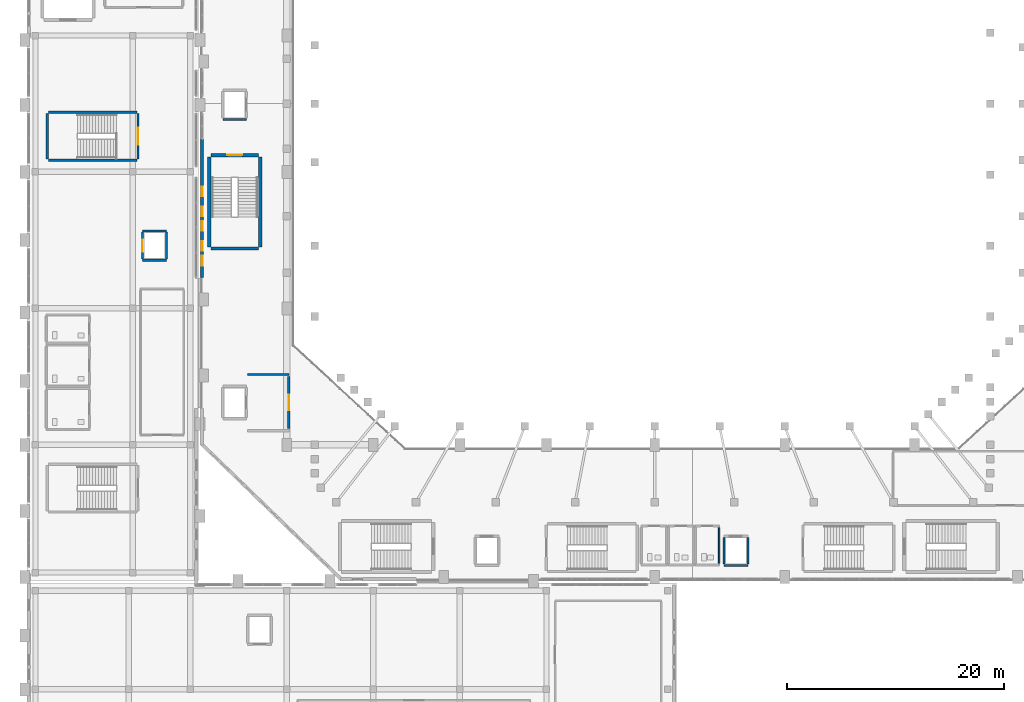
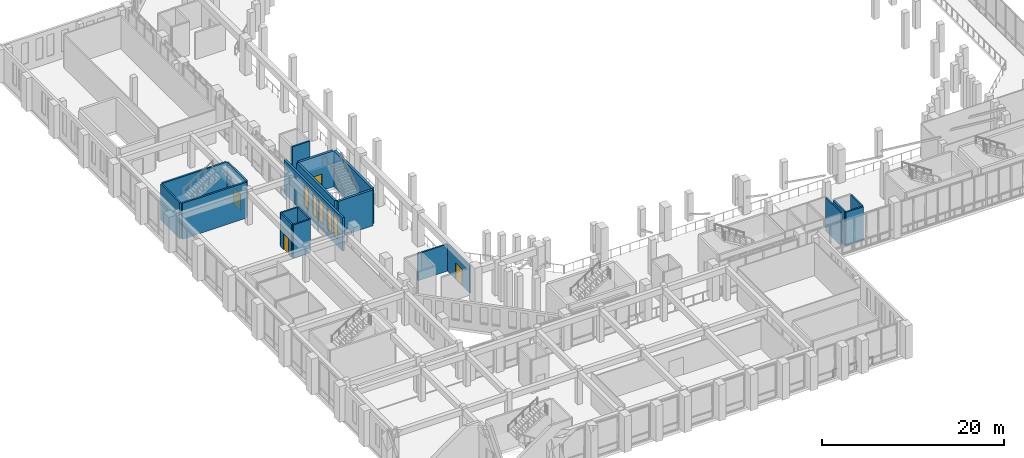
# One storey, part 92 of 126: 20 walls, 5 windows, 4 doors, 9 openings.
"""IFC4 building model written with IfcOpenShell, lengths in metres."""

from ifc_helpers import new_model, si_unit, derived_unit, direction, frame, frame_2d, origin, place, context, subcontext, project, spatial, rectangle, extrude, material, layer, layer_set, type_object, element, fill, save


model = new_model("IFC4")

# Units and contexts
model_context = context("Model", 3, precision=1e-05, world=origin(), true_north=direction((0.0, 1.0)))
body_context = subcontext(model_context, "Body", "Model", "MODEL_VIEW")
ifc_project = project(units=[si_unit("LENGTHUNIT", "METRE"), si_unit("AREAUNIT", "SQUARE_METRE"), si_unit("VOLUMEUNIT", "CUBIC_METRE"), si_unit("PLANEANGLEUNIT", "RADIAN"), si_unit("MASSUNIT", "GRAM", prefix="KILO"), derived_unit("THERMALTRANSMITTANCEUNIT", [(si_unit("MASSUNIT", "GRAM", prefix="KILO"), 1), (si_unit("TIMEUNIT", "SECOND"), -3), (si_unit("THERMODYNAMICTEMPERATUREUNIT", "KELVIN"), -1)])], contexts=[model_context])

# Site, building, storey
site_placement = place(None, origin())
site = spatial("IfcSite", under=ifc_project, at=site_placement, CompositionType="ELEMENT")
building_placement = place(site_placement, origin())
building = spatial("IfcBuilding", under=site, at=building_placement, Name="Valcora Ridge Arena", CompositionType="ELEMENT")
storey_placement = place(building_placement, frame((0.0, 0.0, 11.39990234375)))
storey = spatial("IfcBuildingStorey", under=building, at=storey_placement, Name="L02", CompositionType="ELEMENT", Elevation=11.39990234375)

# Wall, openings, windows
ifc_material_1 = material(Name="Bush-hammered Andean travertine on concrete backup C40/50", Category="masonry")
ifc_layer_1 = layer(ifc_material_1, 0.280029296875, Name="Bush-hammered Andean travertine on concrete backup C40/50")
ifc_layer_set_1 = layer_set([ifc_layer_1], Name="Bush-hammered Andean travertine on concrete backup C40/50")
wall_type_1 = type_object("IfcWallType", Name="TY-WALL-EW-TRV-28-44", PredefinedType="STANDARD", material=ifc_layer_set_1)
wall_1_placement = place(storey_placement, frame((16.199951171875, 48.050048828125, 0.0), z_axis=(0.0, 0.0, 1.0), x_axis=(0.0, 1.0, 0.0)))
wall_1 = element("IfcWall", 1, at=wall_1_placement, inside=storey, type_object=wall_type_1, Name="EW-TRV-28-44 WAL-EW-0047", PredefinedType="STANDARD", context=body_context, shape_type="SweptSolid", body=[
    extrude(rectangle(XDim=12.800048828125, YDim=0.280029296875, at=frame_2d((6.39990234375, 0.0))), origin(), (0.0, 0.0, 1.0), 4.4501953125),
])
opening_1_placement = place(wall_1_placement, frame((1.10009765625, 0.0, 0.949951171875)))
opening_1 = element("IfcOpeningElement", 2, at=opening_1_placement, cuts=wall_1, Name="Opening W-GLAN-90X285", PredefinedType="OPENING", context=body_context, shape_type="SweptSolid", body=[
    extrude(rectangle(XDim=0.89990234375, YDim=2.85009765625, at=frame_2d((0.449951171875, 1.425048828125))), frame((0.0, 0.14990234375, 0.0), z_axis=(0.0, -1.0, 0.0), x_axis=(1.0, 0.0, 0.0)), (0.0, 0.0, 1.0), 0.300048828125),
])
opening_2_placement = place(wall_1_placement, frame((2.449951171875, 0.0, 0.949951171875)))
opening_2 = element("IfcOpeningElement", 3, at=opening_2_placement, cuts=wall_1, Name="Opening W-GLAN-90X285", PredefinedType="OPENING", context=body_context, shape_type="SweptSolid", body=[
    extrude(rectangle(XDim=0.89990234375, YDim=2.85009765625, at=frame_2d((0.449951171875, 1.425048828125))), frame((0.0, 0.14990234375, 0.0), z_axis=(0.0, -1.0, 0.0), x_axis=(1.0, 0.0, 0.0)), (0.0, 0.0, 1.0), 0.300048828125),
])
opening_3_placement = place(wall_1_placement, frame((4.300048828125, 0.0, 0.949951171875)))
opening_3 = element("IfcOpeningElement", 4, at=opening_3_placement, cuts=wall_1, Name="Opening W-GLAN-90X285", PredefinedType="OPENING", context=body_context, shape_type="SweptSolid", body=[
    extrude(rectangle(XDim=0.89990234375, YDim=2.85009765625, at=frame_2d((0.449951171875, 1.425048828125))), frame((0.0, 0.14990234375, 0.0), z_axis=(0.0, -1.0, 0.0), x_axis=(1.0, 0.0, 0.0)), (0.0, 0.0, 1.0), 0.300048828125),
])
opening_4_placement = place(wall_1_placement, frame((5.64990234375, 0.0, 0.949951171875)))
opening_4 = element("IfcOpeningElement", 5, at=opening_4_placement, cuts=wall_1, Name="Opening W-GLAN-90X285", PredefinedType="OPENING", context=body_context, shape_type="SweptSolid", body=[
    extrude(rectangle(XDim=0.89990234375, YDim=2.85009765625, at=frame_2d((0.449951171875, 1.425048828125))), frame((0.0, 0.14990234375, 0.0), z_axis=(0.0, -1.0, 0.0), x_axis=(1.0, 0.0, 0.0)), (0.0, 0.0, 1.0), 0.300048828125),
])
opening_5_placement = place(wall_1_placement, frame((7.5, 0.0, 0.949951171875)))
opening_5 = element("IfcOpeningElement", 6, at=opening_5_placement, cuts=wall_1, Name="Opening W-GLAN-90X285", PredefinedType="OPENING", context=body_context, shape_type="SweptSolid", body=[
    extrude(rectangle(XDim=0.89990234375, YDim=2.85009765625, at=frame_2d((0.449951171875, 1.425048828125))), frame((0.0, 0.14990234375, 0.0), z_axis=(0.0, -1.0, 0.0), x_axis=(1.0, 0.0, 0.0)), (0.0, 0.0, 1.0), 0.300048828125),
])
ifc_material_2 = material(Name="Low-iron solar-control double glazing SHGC 0.28", Category="glass")
window_type = type_object("IfcWindowType", Name="TY-WINDOW-W-GLAN-90X285", PartitioningType="DOUBLE_PANEL_VERTICAL", PredefinedType="WINDOW", material=ifc_material_2)
window_1_placement = place(opening_1_placement, origin())
window_1 = element("IfcWindow", 7, at=window_1_placement, inside=storey, type_object=window_type, Name="W-GLAN-90X285 WIN-EX-0098", OverallHeight=2.85009765625, OverallWidth=0.89990234375, PartitioningType="DOUBLE_PANEL_VERTICAL", PredefinedType="WINDOW", context=body_context, shape_type="SweptSolid", body=[
    extrude(rectangle(XDim=0.89990234375, YDim=2.85009765625, at=frame_2d((0.449951171875, 1.425048828125))), frame((0.0, 0.030029296875, 0.0), z_axis=(0.0, -1.0, 0.0), x_axis=(1.0, 0.0, 0.0)), (0.0, 0.0, 1.0), 0.06005859375),
])
fill(opening_1, window_1)
window_2_placement = place(opening_2_placement, origin())
window_2 = element("IfcWindow", 8, at=window_2_placement, inside=storey, type_object=window_type, Name="W-GLAN-90X285 WIN-EX-0099", OverallHeight=2.85009765625, OverallWidth=0.89990234375, PartitioningType="DOUBLE_PANEL_VERTICAL", PredefinedType="WINDOW", context=body_context, shape_type="SweptSolid", body=[
    extrude(rectangle(XDim=0.89990234375, YDim=2.85009765625, at=frame_2d((0.449951171875, 1.425048828125))), frame((0.0, 0.030029296875, 0.0), z_axis=(0.0, -1.0, 0.0), x_axis=(1.0, 0.0, 0.0)), (0.0, 0.0, 1.0), 0.06005859375),
])
fill(opening_2, window_2)
window_3_placement = place(opening_3_placement, origin())
window_3 = element("IfcWindow", 9, at=window_3_placement, inside=storey, type_object=window_type, Name="W-GLAN-90X285 WIN-EX-0100", OverallHeight=2.85009765625, OverallWidth=0.89990234375, PartitioningType="DOUBLE_PANEL_VERTICAL", PredefinedType="WINDOW", context=body_context, shape_type="SweptSolid", body=[
    extrude(rectangle(XDim=0.89990234375, YDim=2.85009765625, at=frame_2d((0.449951171875, 1.425048828125))), frame((0.0, 0.030029296875, 0.0), z_axis=(0.0, -1.0, 0.0), x_axis=(1.0, 0.0, 0.0)), (0.0, 0.0, 1.0), 0.06005859375),
])
fill(opening_3, window_3)
window_4_placement = place(opening_4_placement, origin())
window_4 = element("IfcWindow", 10, at=window_4_placement, inside=storey, type_object=window_type, Name="W-GLAN-90X285 WIN-EX-0101", OverallHeight=2.85009765625, OverallWidth=0.89990234375, PartitioningType="DOUBLE_PANEL_VERTICAL", PredefinedType="WINDOW", context=body_context, shape_type="SweptSolid", body=[
    extrude(rectangle(XDim=0.89990234375, YDim=2.85009765625, at=frame_2d((0.449951171875, 1.425048828125))), frame((0.0, 0.030029296875, 0.0), z_axis=(0.0, -1.0, 0.0), x_axis=(1.0, 0.0, 0.0)), (0.0, 0.0, 1.0), 0.06005859375),
])
fill(opening_4, window_4)
window_5_placement = place(opening_5_placement, origin())
window_5 = element("IfcWindow", 11, at=window_5_placement, inside=storey, type_object=window_type, Name="W-GLAN-90X285 WIN-EX-0102", OverallHeight=2.85009765625, OverallWidth=0.89990234375, PartitioningType="DOUBLE_PANEL_VERTICAL", PredefinedType="WINDOW", context=body_context, shape_type="SweptSolid", body=[
    extrude(rectangle(XDim=0.89990234375, YDim=2.85009765625, at=frame_2d((0.449951171875, 1.425048828125))), frame((0.0, 0.030029296875, 0.0), z_axis=(0.0, -1.0, 0.0), x_axis=(1.0, 0.0, 0.0)), (0.0, 0.0, 1.0), 0.06005859375),
])
fill(opening_5, window_5)

# Walls
ifc_material_3 = material(Name="Fire-rated masonry-core compartment wall C35/45 150 mm", Category="masonry")
ifc_layer_2 = layer(ifc_material_3, 0.14990234375, Name="Fire-rated masonry-core compartment wall C35/45 150 mm")
ifc_layer_set_2 = layer_set([ifc_layer_2], Name="Fire-rated masonry-core compartment wall C35/45 150 mm")
wall_type_2 = type_object("IfcWallType", Name="TY-WALL-IW-COMP-150", PredefinedType="STANDARD", material=ifc_layer_set_2)
wall_2_placement = place(storey_placement, frame((63.949951171875, 21.64990234375, 0.0), z_axis=(0.0, 0.0, 1.0), x_axis=(0.0, 1.0, 0.0)))
element("IfcWall", 12, at=wall_2_placement, inside=storey, type_object=wall_type_2, Name="IW-COMP-150 WAL-IN-0118", PredefinedType="STANDARD", context=body_context, shape_type="SweptSolid", body=[
    extrude(rectangle(XDim=3.300048828125, YDim=0.14990234375, at=frame_2d((1.64990234375, 0.0))), origin(), (0.0, 0.0, 1.0), 4.4501953125),
])
ifc_material_4 = material(Name="Fire-resisting reinforced concrete enclosure C40/50 200 mm", Category="concrete")
ifc_layer_3 = layer(ifc_material_4, 0.199951171875, Name="Fire-resisting reinforced concrete enclosure C40/50 200 mm")
ifc_layer_set_3 = layer_set([ifc_layer_3], Name="Fire-resisting reinforced concrete enclosure C40/50 200 mm")
wall_type_3 = type_object("IfcWallType", Name="TY-WALL-IW-FIRE-200", PredefinedType="STANDARD", material=ifc_layer_set_3)
wall_3_placement = place(storey_placement, frame((20.39990234375, 39.10009765625, 0.0), z_axis=(0.0, 0.0, 1.0), x_axis=(1.0, 0.0, 0.0)))
element("IfcWall", 13, at=wall_3_placement, inside=storey, type_object=wall_type_3, Name="IW-FIRE-200 WAL-IN-0011", PredefinedType="STANDARD", context=body_context, shape_type="SweptSolid", body=[
    extrude(rectangle(XDim=3.800048828125, YDim=0.199951171875, at=frame_2d((1.89990234375, 0.0))), origin(), (0.0, 0.0, 1.0), 3.60009765625),
])

# Wall, opening, door
wall_4_placement = place(storey_placement, frame((24.199951171875, 34.10009765625, 0.0), z_axis=(0.0, 0.0, 1.0), x_axis=(0.0, 1.0, 0.0)))
wall_4 = element("IfcWall", 14, at=wall_4_placement, inside=storey, type_object=wall_type_3, Name="IW-FIRE-200 WAL-IN-0012", PredefinedType="STANDARD", context=body_context, shape_type="SweptSolid", body=[
    extrude(rectangle(XDim=4.7998046875, YDim=0.199951171875, at=frame_2d((2.39990234375, 0.0))), origin(), (0.0, 0.0, 1.0), 3.60009765625),
])
opening_6_placement = place(wall_4_placement, frame((1.699951171875, 0.0, 0.0)))
opening_6 = element("IfcOpeningElement", 15, at=opening_6_placement, cuts=wall_4, Name="Opening FD-FFL-1400", PredefinedType="OPENING", context=body_context, shape_type="SweptSolid", body=[
    extrude(rectangle(XDim=1.39990234375, YDim=2.199951171875, at=frame_2d((0.699951171875, 1.10009765625))), frame((0.0, 0.10986328125, 0.0), z_axis=(0.0, -1.0, 0.0), x_axis=(1.0, 0.0, 0.0)), (0.0, 0.0, 1.0), 0.219970703125),
])
ifc_material_5 = material(Name="Insulated fire-rated steel door leaf", Category="steel")
door_type_1 = type_object("IfcDoorType", Name="TY-DOOR-FD-FFL-1400", OperationType="NOTDEFINED", PredefinedType="DOOR", material=ifc_material_5)
door_1_placement = place(opening_6_placement, origin())
door_1 = element("IfcDoor", 16, at=door_1_placement, inside=storey, type_object=door_type_1, Name="FD-FFL-1400 DOR-IN-0004", OperationType="DOUBLE_DOOR_SINGLE_SWING", OverallHeight=2.199951171875, OverallWidth=1.39990234375, PredefinedType="DOOR", context=body_context, shape_type="SweptSolid", body=[
    extrude(rectangle(XDim=1.39990234375, YDim=2.199951171875, at=frame_2d((0.699951171875, 1.10009765625))), frame((0.0, 0.02490234375, 0.0), z_axis=(0.0, -1.0, 0.0), x_axis=(1.0, 0.0, 0.0)), (0.0, 0.0, 1.0), 0.050048828125),
])
fill(opening_6, door_1)

# Walls
ifc_material_6 = material(Name="Concrete C40/50", Category="concrete")
ifc_layer_4 = layer(ifc_material_6, 0.199951171875, Name="Concrete C40/50")
ifc_layer_set_4 = layer_set([ifc_layer_4], Name="Concrete C40/50")
wall_type_4 = type_object("IfcWallType", Name="TY-WALL-IW-SHF-200", PredefinedType="STANDARD", material=ifc_layer_set_4)
wall_5_placement = place(storey_placement, frame((64.39990234375, 21.449951171875, 0.0), z_axis=(0.0, 0.0, 1.0), x_axis=(1.0, 0.0, 0.0)))
element("IfcWall", 17, at=wall_5_placement, inside=storey, type_object=wall_type_4, Name="IW-SHF-200 WAL-SH-0093", PredefinedType="STANDARD", context=body_context, shape_type="SweptSolid", body=[
    extrude(rectangle(XDim=2.2001953125, YDim=0.199951171875, at=frame_2d((1.10009765625, 0.0))), origin(), (0.0, 0.0, 1.0), 4.4501953125),
])
for number, where, z_axis, x_axis, name in (
    (18, (64.39990234375, 21.570068359375, 0.0), (0.0, 0.0, 1.0), (0.0, 1.0, 0.0), "IW-SHF-200 WAL-SH-0095"),
    (19, (66.60009765625, 21.570068359375, 0.0), (0.0, 0.0, 1.0), (0.0, 1.0, 0.0), "IW-SHF-200 WAL-SH-0096"),
):
    element("IfcWall", number, at=place(storey_placement, frame(where, z_axis=z_axis, x_axis=x_axis)), inside=storey, type_object=wall_type_4, Name=name, PredefinedType="STANDARD", context=body_context, shape_type="SweptSolid", body=[
        extrude(rectangle(XDim=2.4599609375, YDim=0.199951171875, at=frame_2d((1.22998046875, 0.0))), origin(), (0.0, 0.0, 1.0), 4.4501953125),
    ])
for number, where, z_axis, x_axis, name in (
    (20, (10.699951171875, 49.64990234375, 0.0), (0.0, 0.0, 1.0), (1.0, 0.0, 0.0), "IW-SHF-200 WAL-SH-0201"),
    (21, (10.699951171875, 52.35009765625, 0.0), (0.0, 0.0, 1.0), (1.0, 0.0, 0.0), "IW-SHF-200 WAL-SH-0202"),
):
    element("IfcWall", number, at=place(storey_placement, frame(where, z_axis=z_axis, x_axis=x_axis)), inside=storey, type_object=wall_type_4, Name=name, PredefinedType="STANDARD", context=body_context, shape_type="SweptSolid", body=[
        extrude(rectangle(XDim=2.199951171875, YDim=0.199951171875, at=frame_2d((1.10009765625, 0.0))), origin(), (0.0, 0.0, 1.0), 4.4501953125),
    ])

# Wall, opening, door
wall_6_placement = place(storey_placement, frame((10.699951171875, 49.77001953125, 0.0), z_axis=(0.0, 0.0, 1.0), x_axis=(0.0, 1.0, 0.0)))
wall_6 = element("IfcWall", 22, at=wall_6_placement, inside=storey, type_object=wall_type_4, Name="IW-SHF-200 WAL-SH-0203", PredefinedType="STANDARD", context=body_context, shape_type="SweptSolid", body=[
    extrude(rectangle(XDim=2.4599609375, YDim=0.199951171875, at=frame_2d((1.22998046875, 0.0))), origin(), (0.0, 0.0, 1.0), 4.4501953125),
])
opening_7_placement = place(wall_6_placement, frame((0.679931640625, 0.0, 0.0)))
opening_7 = element("IfcOpeningElement", 23, at=opening_7_placement, cuts=wall_6, Name="Opening LD-PAX", PredefinedType="OPENING", context=body_context, shape_type="SweptSolid", body=[
    extrude(rectangle(XDim=1.10009765625, YDim=2.14990234375, at=frame_2d((0.550048828125, 1.074951171875))), frame((0.0, 0.10986328125, 0.0), z_axis=(0.0, -1.0, 0.0), x_axis=(1.0, 0.0, 0.0)), (0.0, 0.0, 1.0), 0.219970703125),
])
ifc_material_7 = material(Name="Insulated fire-rated hollow metal steel", Category="steel")
door_type_2 = type_object("IfcDoorType", Name="TY-DOOR-LD-PAX", OperationType="NOTDEFINED", PredefinedType="DOOR", material=ifc_material_7)
door_2_placement = place(opening_7_placement, origin())
door_2 = element("IfcDoor", 24, at=door_2_placement, inside=storey, type_object=door_type_2, Name="CL2 Landing Door L02", OperationType="SLIDING_TO_LEFT", OverallHeight=2.14990234375, OverallWidth=1.10009765625, PredefinedType="DOOR", context=body_context, shape_type="SweptSolid", body=[
    extrude(rectangle(XDim=1.10009765625, YDim=2.14990234375, at=frame_2d((0.550048828125, 1.074951171875))), frame((0.0, 0.02490234375, 0.0), z_axis=(0.0, -1.0, 0.0), x_axis=(1.0, 0.0, 0.0)), (0.0, 0.0, 1.0), 0.050048828125),
])
fill(opening_7, door_2)

# Walls
wall_7_placement = place(storey_placement, frame((12.89990234375, 49.77001953125, 0.0), z_axis=(0.0, 0.0, 1.0), x_axis=(0.0, 1.0, 0.0)))
element("IfcWall", 25, at=wall_7_placement, inside=storey, type_object=wall_type_4, Name="IW-SHF-200 WAL-SH-0204", PredefinedType="STANDARD", context=body_context, shape_type="SweptSolid", body=[
    extrude(rectangle(XDim=2.4599609375, YDim=0.199951171875, at=frame_2d((1.22998046875, 0.0))), origin(), (0.0, 0.0, 1.0), 4.4501953125),
])
wall_8_placement = place(storey_placement, frame((18.10009765625, 62.64990234375, 0.0), z_axis=(0.0, 0.0, 1.0), x_axis=(1.0, 0.0, 0.0)))
element("IfcWall", 26, at=wall_8_placement, inside=storey, type_object=wall_type_4, Name="IW-SHF-200 WAL-SH-0217", PredefinedType="STANDARD", context=body_context, shape_type="SweptSolid", body=[
    extrude(rectangle(XDim=2.199951171875, YDim=0.199951171875, at=frame_2d((1.10009765625, 0.0))), origin(), (0.0, 0.0, 1.0), 4.4501953125),
])
ifc_material_8 = material(Name="Concrete C45/55", Category="concrete")
ifc_layer_5 = layer(ifc_material_8, 0.300048828125, Name="Concrete C45/55")
ifc_layer_set_5 = layer_set([ifc_layer_5], Name="Concrete C45/55")
wall_type_5 = type_object("IfcWallType", Name="TY-WALL-SW-C300-L", PredefinedType="SHEAR", material=ifc_layer_set_5)
for number, where, z_axis, x_axis, name in (
    (27, (16.85009765625, 50.8798828125, 0.0), (0.0, 0.0, 1.0), (0.0, 1.0, 0.0), "SW-C300-L WAL-CR-0119"),
    (28, (21.550048828125, 50.8798828125, 0.0), (0.0, 0.0, 1.0), (0.0, 1.0, 0.0), "SW-C300-L WAL-CR-0120"),
):
    element("IfcWall", number, at=place(storey_placement, frame(where, z_axis=z_axis, x_axis=x_axis)), inside=storey, type_object=wall_type_5, Name=name, PredefinedType="SHEAR", context=body_context, shape_type="SweptSolid", body=[
        extrude(rectangle(XDim=8.320068359375, YDim=0.300048828125, at=frame_2d((4.16015625, 0.0))), origin(), (0.0, 0.0, 1.0), 4.800048828125),
    ])
ifc_layer_6 = layer(ifc_material_8, 0.300048828125, Name="Concrete C45/55")
ifc_layer_set_6 = layer_set([ifc_layer_6], Name="Concrete C45/55")
wall_type_6 = type_object("IfcWallType", Name="TY-WALL-SW-C300-S", PredefinedType="SHEAR", material=ifc_layer_set_6)
wall_9_placement = place(storey_placement, frame((17.0, 50.72998046875, 0.0), z_axis=(0.0, 0.0, 1.0), x_axis=(1.0, 0.0, 0.0)))
element("IfcWall", 29, at=wall_9_placement, inside=storey, type_object=wall_type_6, Name="SW-C300-S WAL-CR-0117", PredefinedType="SHEAR", context=body_context, shape_type="SweptSolid", body=[
    extrude(rectangle(XDim=4.39990234375, YDim=0.300048828125, at=frame_2d((2.199951171875, 0.0))), origin(), (0.0, 0.0, 1.0), 4.800048828125),
])

# Wall, opening, door
wall_10_placement = place(storey_placement, frame((17.0, 59.35009765625, 0.0), z_axis=(0.0, 0.0, 1.0), x_axis=(1.0, 0.0, 0.0)))
wall_10 = element("IfcWall", 30, at=wall_10_placement, inside=storey, type_object=wall_type_6, Name="SW-C300-S WAL-CR-0118", PredefinedType="SHEAR", context=body_context, shape_type="SweptSolid", body=[
    extrude(rectangle(XDim=4.39990234375, YDim=0.300048828125, at=frame_2d((2.199951171875, 0.0))), origin(), (0.0, 0.0, 1.0), 4.800048828125),
])
opening_8_placement = place(wall_10_placement, frame((1.5, 0.0, 0.0)))
opening_8 = element("IfcOpeningElement", 31, at=opening_8_placement, cuts=wall_10, Name="Opening FD-01", PredefinedType="OPENING", context=body_context, shape_type="SweptSolid", body=[
    extrude(rectangle(XDim=1.39990234375, YDim=2.199951171875, at=frame_2d((0.699951171875, 1.10009765625))), frame((0.0, 0.159912109375, 0.0), z_axis=(0.0, -1.0, 0.0), x_axis=(1.0, 0.0, 0.0)), (0.0, 0.0, 1.0), 0.320068359375),
])
door_type_3 = type_object("IfcDoorType", Name="TY-DOOR-FD-01", OperationType="NOTDEFINED", PredefinedType="DOOR", material=ifc_material_5)
door_3_placement = place(opening_8_placement, origin())
door_3 = element("IfcDoor", 32, at=door_3_placement, inside=storey, type_object=door_type_3, Name="FD-01 DOR-ST-0030", OperationType="DOUBLE_DOOR_SINGLE_SWING", OverallHeight=2.199951171875, OverallWidth=1.39990234375, PredefinedType="DOOR", context=body_context, shape_type="SweptSolid", body=[
    extrude(rectangle(XDim=1.39990234375, YDim=2.199951171875, at=frame_2d((0.699951171875, 1.10009765625))), frame((0.0, 0.02490234375, 0.0), z_axis=(0.0, -1.0, 0.0), x_axis=(1.0, 0.0, 0.0)), (0.0, 0.0, 1.0), 0.050048828125),
])
fill(opening_8, door_3)

# Walls
ifc_layer_7 = layer(ifc_material_4, 0.219970703125, Name="Fire-resisting reinforced concrete enclosure C40/50 200 mm")
ifc_layer_set_7 = layer_set([ifc_layer_7], Name="Fire-resisting reinforced concrete enclosure C40/50 200 mm")
wall_type_7 = type_object("IfcWallType", Name="TY-WALL-SW-ES-220", PredefinedType="SHEAR", material=ifc_layer_set_7)
for number, where, z_axis, x_axis, name in (
    (33, (2.0, 58.889892578125, 0.0), (0.0, 0.0, 1.0), (1.0, 0.0, 0.0), "SW-ES-220 WAL-ES-0157"),
    (34, (2.0, 63.31005859375, 0.0), (0.0, 0.0, 1.0), (1.0, 0.0, 0.0), "SW-ES-220 WAL-ES-0158"),
):
    element("IfcWall", number, at=place(storey_placement, frame(where, z_axis=z_axis, x_axis=x_axis)), inside=storey, type_object=wall_type_7, Name=name, PredefinedType="SHEAR", context=body_context, shape_type="SweptSolid", body=[
        extrude(rectangle(XDim=8.159912109375, YDim=0.219970703125, at=frame_2d((4.080078125, 0.0))), origin(), (0.0, 0.0, 1.0), 4.800048828125),
    ])
wall_11_placement = place(storey_placement, frame((1.889892578125, 59.0, 0.0), z_axis=(0.0, 0.0, 1.0), x_axis=(0.0, 1.0, 0.0)))
element("IfcWall", 35, at=wall_11_placement, inside=storey, type_object=wall_type_7, Name="SW-ES-220 WAL-ES-0159", PredefinedType="SHEAR", context=body_context, shape_type="SweptSolid", body=[
    extrude(rectangle(XDim=4.199951171875, YDim=0.219970703125, at=frame_2d((2.10009765625, 0.0))), origin(), (0.0, 0.0, 1.0), 4.800048828125),
])

# Wall, opening, door
wall_12_placement = place(storey_placement, frame((10.27001953125, 59.0, 0.0), z_axis=(0.0, 0.0, 1.0), x_axis=(0.0, 1.0, 0.0)))
wall_12 = element("IfcWall", 36, at=wall_12_placement, inside=storey, type_object=wall_type_7, Name="SW-ES-220 WAL-ES-0160", PredefinedType="SHEAR", context=body_context, shape_type="SweptSolid", body=[
    extrude(rectangle(XDim=4.199951171875, YDim=0.219970703125, at=frame_2d((2.10009765625, 0.0))), origin(), (0.0, 0.0, 1.0), 4.800048828125),
])
opening_9_placement = place(wall_12_placement, frame((1.300048828125, 0.0, 0.0)))
opening_9 = element("IfcOpeningElement", 37, at=opening_9_placement, cuts=wall_12, Name="Opening FD-02", PredefinedType="OPENING", context=body_context, shape_type="SweptSolid", body=[
    extrude(rectangle(XDim=1.60009765625, YDim=2.199951171875, at=frame_2d((0.800048828125, 1.10009765625))), frame((0.0, 0.119873046875, 0.0), z_axis=(0.0, -1.0, 0.0), x_axis=(1.0, 0.0, 0.0)), (0.0, 0.0, 1.0), 0.239990234375),
])
door_type_4 = type_object("IfcDoorType", Name="TY-DOOR-FD-02", OperationType="NOTDEFINED", PredefinedType="DOOR", material=ifc_material_5)
door_4_placement = place(opening_9_placement, origin())
door_4 = element("IfcDoor", 38, at=door_4_placement, inside=storey, type_object=door_type_4, Name="FD-02 DOR-ES-0036", OperationType="DOUBLE_DOOR_SINGLE_SWING", OverallHeight=2.199951171875, OverallWidth=1.60009765625, PredefinedType="DOOR", context=body_context, shape_type="SweptSolid", body=[
    extrude(rectangle(XDim=1.60009765625, YDim=2.199951171875, at=frame_2d((0.800048828125, 1.10009765625))), frame((0.0, 0.02490234375, 0.0), z_axis=(0.0, -1.0, 0.0), x_axis=(1.0, 0.0, 0.0)), (0.0, 0.0, 1.0), 0.050048828125),
])
fill(opening_9, door_4)

save(model, "model.ifc")
